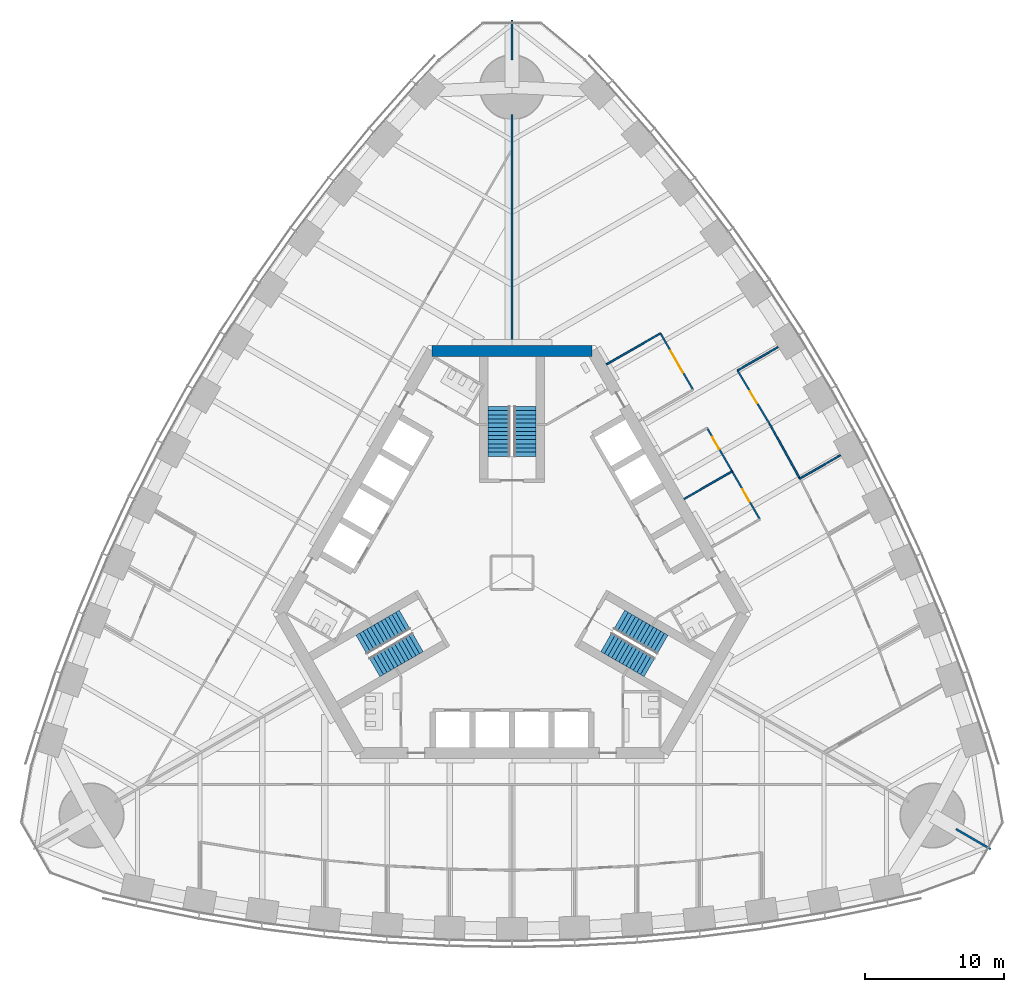
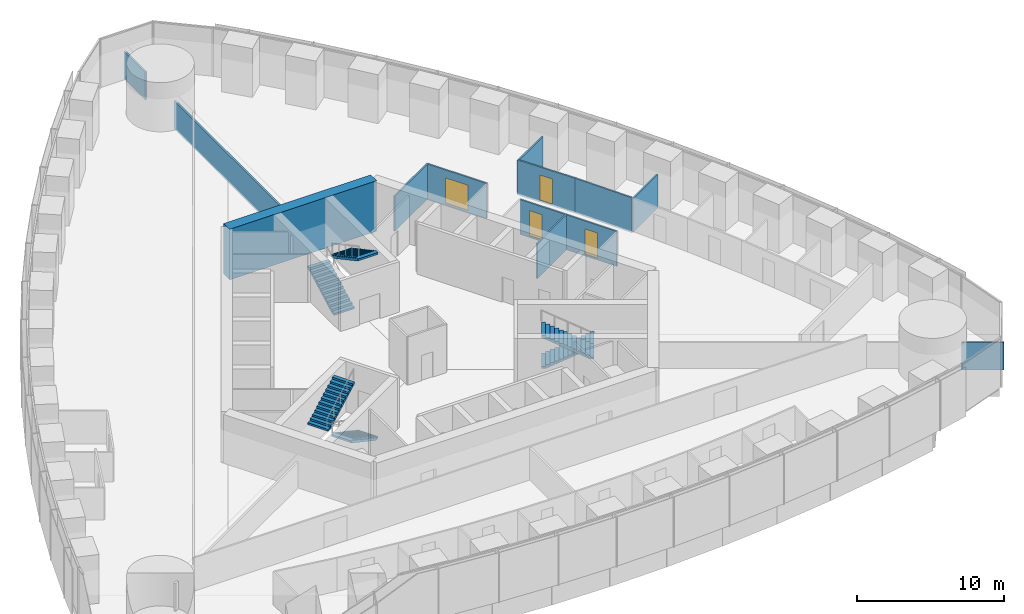
# One storey, part 13 of 18: 13 walls, 6 stair flights, 4 doors, 4 openings, 3 elements without a shape of their own.
"""IFC4 building model written with IfcOpenShell, lengths in metres."""

from ifc_helpers import new_model, si_unit, direction, frame, frame_2d, origin, place, context, subcontext, project, spatial, polyline, rectangle, outline, extrude, material, layer, layer_set, type_object, element, fill, aggregate, save


model = new_model("IFC4")

# Units and contexts
model_context = context("Model", 3, precision=1e-05, world=origin(), true_north=direction((0.0, 1.0)))
body_context = subcontext(model_context, "Body", "Model", "MODEL_VIEW")
ifc_project = project(units=[si_unit("LENGTHUNIT", "METRE"), si_unit("AREAUNIT", "SQUARE_METRE"), si_unit("VOLUMEUNIT", "CUBIC_METRE"), si_unit("PLANEANGLEUNIT", "RADIAN"), si_unit("MASSUNIT", "GRAM", prefix="KILO")], contexts=[model_context])

# Site, building, storey
site_placement = place(None, origin())
site = spatial("IfcSite", under=ifc_project, at=site_placement, CompositionType="ELEMENT")
building_placement = place(site_placement, origin())
building = spatial("IfcBuilding", under=site, at=building_placement, Name="Trefoil Bronze Tower", CompositionType="ELEMENT")
storey_placement = place(building_placement, frame((0.0, 0.0, 111.5)))
storey = spatial("IfcBuildingStorey", under=building, at=storey_placement, Name="L25", CompositionType="ELEMENT", Elevation=111.5)

# Wall
ifc_material_1 = material(Name="Concrete B80", Category="concrete")
ifc_layer_1 = layer(ifc_material_1, 0.800048828125)
ifc_layer_set_1 = layer_set([ifc_layer_1], Name="Core wall 800")
wall_type_1 = type_object("IfcWallType", Name="Core wall 800", PredefinedType="SHEAR", material=ifc_layer_set_1)
wall_1_placement = place(storey_placement, frame((5.7734375, 16.0, 0.0), z_axis=(0.0, 0.0, 1.0), x_axis=(-1.0, 0.0, 0.0)))
element("IfcWall", 1, at=wall_1_placement, inside=storey, type_object=wall_type_1, Name="Core short wall 2 L25", PredefinedType="SHEAR", context=body_context, shape_type="SweptSolid", body=[
    extrude(rectangle(XDim=11.546875, YDim=0.800048828125, at=frame_2d((5.7734375, 0.0))), origin(), (0.0, 0.0, 1.0), 4.199951171875),
])

# Wall, opening, door
ifc_material_2 = material(Name="Glazed partition", Category="glass")
ifc_layer_2 = layer(ifc_material_2, 0.1201171875)
ifc_layer_set_2 = layer_set([ifc_layer_2], Name="Glazed partition 120")
wall_type_2 = type_object("IfcWallType", Name="Glazed partition 120", PredefinedType="PARTITIONING", material=ifc_layer_set_2)
wall_2_placement = place(storey_placement, frame((13.0517578125, 13.193603515625, 0.0), z_axis=(0.0, 0.0, 1.0), x_axis=(-0.499977259774, 0.866038532462, 0.0)))
wall_2 = element("IfcWall", 2, at=wall_2_placement, inside=storey, type_object=wall_type_2, Name="Partition F2 L25", PredefinedType="PARTITIONING", context=body_context, shape_type="SweptSolid", body=[
    extrude(rectangle(XDim=4.699951171875, YDim=0.1201171875, at=frame_2d((2.35009765625, 0.0))), origin(), (0.0, 0.0, 1.0), 2.89990234375),
])
opening_1_placement = place(wall_2_placement, frame((1.449951171875, 0.0, 0.14990234375)))
opening_1 = element("IfcOpeningElement", 3, at=opening_1_placement, cuts=wall_2, Name="Opening D10", PredefinedType="OPENING", context=body_context, shape_type="SweptSolid", body=[
    extrude(rectangle(XDim=1.800048828125, YDim=2.10009765625, at=frame_2d((0.89990234375, 1.050048828125))), frame((0.0, 0.070068359375, 0.0), z_axis=(0.0, -1.0, 0.0), x_axis=(1.0, 0.0, 0.0)), (0.0, 0.0, 1.0), 0.14013671875),
])
ifc_material_3 = material(Name="Timber door", Category="wood")
door_type_1 = type_object("IfcDoorType", Name="Double door 1800", OperationType="DOUBLE_DOOR_SINGLE_SWING", PredefinedType="DOOR", material=ifc_material_3)
door_1_placement = place(opening_1_placement, frame((1.800048828125, 0.0, 0.0), z_axis=(0.0, 0.0, 1.0), x_axis=(-1.0, 0.0, 0.0)))
door_1 = element("IfcDoor", 4, at=door_1_placement, inside=storey, type_object=door_type_1, Name="Reception door F2 L25", OperationType="DOUBLE_DOOR_SINGLE_SWING", OverallHeight=2.10009765625, OverallWidth=1.800048828125, PredefinedType="DOOR", context=body_context, shape_type="SweptSolid", body=[
    extrude(rectangle(XDim=1.800048828125, YDim=2.10009765625, at=frame_2d((0.89990234375, 1.050048828125))), frame((0.0, 0.02490234375, 0.0), z_axis=(0.0, -1.0, 0.0), x_axis=(1.0, 0.0, 0.0)), (0.0, 0.0, 1.0), 0.050048828125),
])
fill(opening_1, door_1)

wall_3_placement = place(storey_placement, frame((15.868896484375, 7.314453125, 0.0), z_axis=(0.0, 0.0, 1.0), x_axis=(-0.500012057535, 0.866018442252, 0.0)))
wall_3 = element("IfcWall", 5, at=wall_3_placement, inside=storey, type_object=wall_type_2, Name="Partition F2 L25", PredefinedType="PARTITIONING", context=body_context, shape_type="SweptSolid", body=[
    extrude(rectangle(XDim=3.60009765625, YDim=0.1201171875, at=frame_2d((1.800048828125, 0.0))), origin(), (0.0, 0.0, 1.0), 2.89990234375),
])
opening_2_placement = place(wall_3_placement, frame((1.85009765625, 0.0, 0.14990234375)))
opening_2 = element("IfcOpeningElement", 6, at=opening_2_placement, cuts=wall_3, Name="Opening D9", PredefinedType="OPENING", context=body_context, shape_type="SweptSolid", body=[
    extrude(rectangle(XDim=1.0, YDim=2.10009765625, at=frame_2d((0.5, 1.050048828125))), frame((0.0, 0.070068359375, 0.0), z_axis=(0.0, -1.0, 0.0), x_axis=(1.0, 0.0, 0.0)), (0.0, 0.0, 1.0), 0.14013671875),
])
ifc_material_4 = material(Name="Glazed timber door", Category="wood")
door_type_2 = type_object("IfcDoorType", Name="Meeting room door 1000", OperationType="SINGLE_SWING_LEFT", PredefinedType="DOOR", material=ifc_material_4)
door_2_placement = place(opening_2_placement, origin())
door_2 = element("IfcDoor", 7, at=door_2_placement, inside=storey, type_object=door_type_2, Name="Meeting room door F2 L25", OperationType="SINGLE_SWING_RIGHT", OverallHeight=2.10009765625, OverallWidth=1.0, PredefinedType="DOOR", context=body_context, shape_type="SweptSolid", body=[
    extrude(rectangle(XDim=1.0, YDim=2.10009765625, at=frame_2d((0.5, 1.050048828125))), frame((0.0, 0.02490234375, 0.0), z_axis=(0.0, -1.0, 0.0), x_axis=(1.0, 0.0, 0.0)), (0.0, 0.0, 1.0), 0.050048828125),
])
fill(opening_2, door_2)

wall_4_placement = place(storey_placement, frame((17.868896484375, 3.850341796875, 0.0), z_axis=(0.0, 0.0, 1.0), x_axis=(-0.49999894854, 0.866026010844, 0.0)))
wall_4 = element("IfcWall", 8, at=wall_4_placement, inside=storey, type_object=wall_type_2, Name="Partition F2 L25", PredefinedType="PARTITIONING", context=body_context, shape_type="SweptSolid", body=[
    extrude(rectangle(XDim=4.0, YDim=0.1201171875, at=frame_2d((2.0, 0.0))), origin(), (0.0, 0.0, 1.0), 2.89990234375),
])
opening_3_placement = place(wall_4_placement, frame((1.5, 0.0, 0.14990234375)))
opening_3 = element("IfcOpeningElement", 9, at=opening_3_placement, cuts=wall_4, Name="Opening D9", PredefinedType="OPENING", context=body_context, shape_type="SweptSolid", body=[
    extrude(rectangle(XDim=1.0, YDim=2.10009765625, at=frame_2d((0.5, 1.050048828125))), frame((0.0, 0.070068359375, 0.0), z_axis=(0.0, -1.0, 0.0), x_axis=(1.0, 0.0, 0.0)), (0.0, 0.0, 1.0), 0.14013671875),
])
door_3_placement = place(opening_3_placement, origin())
door_3 = element("IfcDoor", 10, at=door_3_placement, inside=storey, type_object=door_type_2, Name="Waiting room door F2 L25", OperationType="SINGLE_SWING_RIGHT", OverallHeight=2.10009765625, OverallWidth=1.0, PredefinedType="DOOR", context=body_context, shape_type="SweptSolid", body=[
    extrude(rectangle(XDim=1.0, YDim=2.10009765625, at=frame_2d((0.5, 1.050048828125))), frame((0.0, 0.02490234375, 0.0), z_axis=(0.0, -1.0, 0.0), x_axis=(1.0, 0.0, 0.0)), (0.0, 0.0, 1.0), 0.050048828125),
])
fill(opening_3, door_3)

# Walls
wall_5_placement = place(storey_placement, frame((6.8046875, 15.013916015625, 0.0), z_axis=(0.0, 0.0, 1.0), x_axis=(0.866031096941, 0.499990139034, 0.0)))
element("IfcWall", 11, at=wall_5_placement, inside=storey, type_object=wall_type_2, Name="Partition F2 L25", PredefinedType="PARTITIONING", context=body_context, shape_type="SweptSolid", body=[
    extrude(rectangle(XDim=4.5, YDim=0.1201171875, at=frame_2d((2.25, 0.0))), origin(), (0.0, 0.0, 1.0), 2.89990234375),
])
wall_6_placement = place(storey_placement, frame((12.40478515625, 5.314453125, 0.0), z_axis=(0.0, 0.0, 1.0), x_axis=(0.866026010844, 0.49999894854, 0.0)))
element("IfcWall", 12, at=wall_6_placement, inside=storey, type_object=wall_type_2, Name="Partition F2 L25", PredefinedType="PARTITIONING", context=body_context, shape_type="SweptSolid", body=[
    extrude(rectangle(XDim=4.0, YDim=0.1201171875, at=frame_2d((2.0, 0.0))), origin(), (0.0, 0.0, 1.0), 2.89990234375),
])

# Wall, opening, door
wall_7_placement = place(storey_placement, frame((18.575927734375, 10.724853515625, 0.0), z_axis=(0.0, 0.0, 1.0), x_axis=(-0.515548366618, 0.856860479703, 0.0)))
wall_7 = element("IfcWall", 13, at=wall_7_placement, inside=storey, type_object=wall_type_2, Name="Partition F2 L25", PredefinedType="PARTITIONING", context=body_context, shape_type="SweptSolid", body=[
    extrude(rectangle(XDim=4.500732421875, YDim=0.1201171875, at=frame_2d((2.25048828125, 0.0))), origin(), (0.0, 0.0, 1.0), 2.89990234375),
])
opening_4_placement = place(wall_7_placement, frame((1.75, 0.0, 0.14990234375)))
opening_4 = element("IfcOpeningElement", 14, at=opening_4_placement, cuts=wall_7, Name="Opening D9", PredefinedType="OPENING", context=body_context, shape_type="SweptSolid", body=[
    extrude(rectangle(XDim=1.0, YDim=2.10009765625, at=frame_2d((0.5, 1.050048828125))), frame((0.0, 0.070068359375, 0.0), z_axis=(0.0, -1.0, 0.0), x_axis=(1.0, 0.0, 0.0)), (0.0, 0.0, 1.0), 0.14013671875),
])
door_4_placement = place(opening_4_placement, frame((1.0, 0.0, 0.0), z_axis=(0.0, 0.0, 1.0), x_axis=(-1.0, 0.0, 0.0)))
door_4 = element("IfcDoor", 15, at=door_4_placement, inside=storey, type_object=door_type_2, Name="Client meeting room door F2 L25", OperationType="SINGLE_SWING_RIGHT", OverallHeight=2.10009765625, OverallWidth=1.0, PredefinedType="DOOR", context=body_context, shape_type="SweptSolid", body=[
    extrude(rectangle(XDim=1.0, YDim=2.10009765625, at=frame_2d((0.5, 1.050048828125))), frame((0.0, 0.02490234375, 0.0), z_axis=(0.0, -1.0, 0.0), x_axis=(1.0, 0.0, 0.0)), (0.0, 0.0, 1.0), 0.050048828125),
])
fill(opening_4, door_4)

# Walls
wall_8_placement = place(storey_placement, frame((20.755615234375, 6.787109375, 0.0), z_axis=(0.0, 0.0, 1.0), x_axis=(-0.484292898211, 0.874905931368, 0.0)))
element("IfcWall", 16, at=wall_8_placement, inside=storey, type_object=wall_type_2, Name="Partition F2 L25", PredefinedType="PARTITIONING", context=body_context, shape_type="SweptSolid", body=[
    extrude(rectangle(XDim=4.500732421875, YDim=0.1201171875, at=frame_2d((2.25048828125, 0.0))), origin(), (0.0, 0.0, 1.0), 2.89990234375),
])
for number, where, z_axis, x_axis, name in (
    (17, (16.255615234375, 14.581298828125, 0.0), (0.0, 0.0, 1.0), (0.866022675988, 0.500004724652, 0.0), "Partition F2 L25"),
    (18, (20.755615234375, 6.787109375, 0.0), (0.0, 0.0, 1.0), (0.866022675988, 0.500004724652, 0.0), "Partition F2 L25"),
):
    element("IfcWall", number, at=place(storey_placement, frame(where, z_axis=z_axis, x_axis=x_axis)), inside=storey, type_object=wall_type_2, Name=name, PredefinedType="PARTITIONING", context=body_context, shape_type="SweptSolid", body=[
        extrude(rectangle(XDim=3.369140625, YDim=0.1201171875, at=frame_2d((1.6845703125, 0.0))), origin(), (0.0, 0.0, 1.0), 2.800048828125),
    ])
ifc_material_5 = material(Name="Gypsum board on steel studs", Category="steel")
ifc_layer_3 = layer(ifc_material_5, 0.14990234375)
ifc_layer_set_3 = layer_set([ifc_layer_3], Name="Party wall 150")
wall_type_3 = type_object("IfcWallType", Name="Party wall 150", PredefinedType="PARTITIONING", material=ifc_layer_set_3)
wall_9_placement = place(storey_placement, frame((31.999755859375, -18.47509765625, 0.0), z_axis=(0.0, 0.0, 1.0), x_axis=(0.866042548026, -0.499970304126, 0.0)))
element("IfcWall", 19, at=wall_9_placement, inside=storey, type_object=wall_type_3, Name="Party wall K1 L25", PredefinedType="PARTITIONING", context=body_context, shape_type="SweptSolid", body=[
    extrude(rectangle(XDim=2.899169921875, YDim=0.14990234375, at=frame_2d((1.44970703125, 0.0))), origin(), (0.0, 0.0, 1.0), 2.300048828125),
])
wall_10_placement = place(storey_placement, frame((0.0, 16.39990234375, 0.0), z_axis=(0.0, 0.0, 1.0), x_axis=(0.0, 1.0, 0.0)))
element("IfcWall", 20, at=wall_10_placement, inside=storey, type_object=wall_type_3, Name="Party wall K2 L25", PredefinedType="PARTITIONING", context=body_context, shape_type="SweptSolid", body=[
    extrude(rectangle(XDim=16.650146484375, YDim=0.14990234375, at=frame_2d((8.3251953125, 0.0))), origin(), (0.0, 0.0, 1.0), 2.300048828125),
])
wall_11_placement = place(storey_placement, frame((0.0, 36.949951171875, 0.0), z_axis=(0.0, 0.0, 1.0), x_axis=(0.0, 1.0, 0.0)))
element("IfcWall", 21, at=wall_11_placement, inside=storey, type_object=wall_type_3, Name="Party wall K2 L25", PredefinedType="PARTITIONING", context=body_context, shape_type="SweptSolid", body=[
    extrude(rectangle(XDim=2.8994140625, YDim=0.14990234375, at=frame_2d((1.44970703125, 0.0))), origin(), (0.0, 0.0, 1.0), 2.300048828125),
])

# Stair, stair flights
ifc_material_6 = material(Name="Precast concrete B80", Category="concrete")
stair_type = type_object("IfcStairType", Name="Exit stair 26 risers", PredefinedType="HALF_TURN_STAIR", material=ifc_material_6)
stair_1_placement = place(storey_placement, origin())
stair_1 = element("IfcStair", 22, at=stair_1_placement, inside=storey, type_object=stair_type, Name="Stair ST1 L25", PredefinedType="HALF_TURN_STAIR")
ifc_material_7 = material(Name="Precast concrete B80", Category="concrete")
stair_flight_type = type_object("IfcStairFlightType", Name="Stair flight 1600", PredefinedType="STRAIGHT", material=ifc_material_7)
stair_flight_1_placement = place(storey_placement, frame((7.728515625, -3.39404296875, 0.0), z_axis=(0.0, 0.0, 1.0), x_axis=(0.866025403784, -0.5, 0.0)))
stair_flight_1 = element("IfcStairFlight", 23, at=stair_flight_1_placement, type_object=stair_flight_type, Name="ST1 flight 1", NumberOfRisers=13, NumberOfTreads=12, PredefinedType="STRAIGHT", RiserHeight=0.161538462, TreadLength=0.3, context=body_context, shape_type="SweptSolid", body=[
    extrude(outline(polyline([(0.0, 0.0), (0.0, 0.16162109375), (0.300048828125, 0.16162109375), (0.300048828125, 0.322998046875), (0.60009765625, 0.322998046875), (0.60009765625, 0.484619140625), (0.89990234375, 0.484619140625), (0.89990234375, 0.646240234375), (1.199951171875, 0.646240234375), (1.199951171875, 0.8076171875), (1.5, 0.8076171875), (1.5, 0.96923828125), (1.800048828125, 0.96923828125), (1.800048828125, 1.130859375), (2.10009765625, 1.130859375), (2.10009765625, 1.292236328125), (2.39990234375, 1.292236328125), (2.39990234375, 1.453857421875), (2.699951171875, 1.453857421875), (2.699951171875, 1.615478515625), (3.0, 1.615478515625), (3.0, 1.77685546875), (3.300048828125, 1.77685546875), (3.300048828125, 1.9384765625), (3.60009765625, 1.9384765625), (3.60009765625, 2.10009765625), (3.60009765625, 1.768310546875), (0.316162109375, 0.0), (0.0, 0.0)])), frame((0.0, 0.800048828125, 0.0), z_axis=(0.0, -1.0, 0.0), x_axis=(1.0, 0.0, 0.0)), (0.0, 0.0, 1.0), 1.60009765625),
])
stair_flight_2_placement = place(storey_placement, frame((9.921142578125, -6.796142578125, 2.10009765625), z_axis=(0.0, 0.0, 1.0), x_axis=(-0.866025403784, 0.5, 0.0)))
stair_flight_2 = element("IfcStairFlight", 24, at=stair_flight_2_placement, type_object=stair_flight_type, Name="ST1 flight 2", NumberOfRisers=13, NumberOfTreads=12, PredefinedType="STRAIGHT", RiserHeight=0.161538462, TreadLength=0.3, context=body_context, shape_type="SweptSolid", body=[
    extrude(outline(polyline([(0.0, 0.0), (0.0, 0.16162109375), (0.300048828125, 0.16162109375), (0.300048828125, 0.322998046875), (0.60009765625, 0.322998046875), (0.60009765625, 0.484619140625), (0.89990234375, 0.484619140625), (0.89990234375, 0.646240234375), (1.199951171875, 0.646240234375), (1.199951171875, 0.8076171875), (1.5, 0.8076171875), (1.5, 0.96923828125), (1.800048828125, 0.96923828125), (1.800048828125, 1.130859375), (2.10009765625, 1.130859375), (2.10009765625, 1.292236328125), (2.39990234375, 1.292236328125), (2.39990234375, 1.453857421875), (2.699951171875, 1.453857421875), (2.699951171875, 1.615478515625), (3.0, 1.615478515625), (3.0, 1.77685546875), (3.300048828125, 1.77685546875), (3.300048828125, 1.9384765625), (3.60009765625, 1.9384765625), (3.60009765625, 2.10009765625), (3.60009765625, 1.768310546875), (0.316162109375, 0.0), (0.0, 0.0)])), frame((0.0, 0.800048828125, 0.0), z_axis=(0.0, -1.0, 0.0), x_axis=(1.0, 0.0, 0.0)), (0.0, 0.0, 1.0), 1.60009765625),
])
aggregate(stair_1, [stair_flight_1, stair_flight_2])

stair_2_placement = place(storey_placement, origin())
stair_2 = element("IfcStair", 25, at=stair_2_placement, inside=storey, type_object=stair_type, Name="Stair ST2 L25", PredefinedType="HALF_TURN_STAIR")
stair_flight_3_placement = place(storey_placement, frame((-0.925048828125, 8.389892578125, 0.0), z_axis=(0.0, 0.0, 1.0), x_axis=(0.0, 1.0, 0.0)))
stair_flight_3 = element("IfcStairFlight", 26, at=stair_flight_3_placement, type_object=stair_flight_type, Name="ST2 flight 1", NumberOfRisers=13, NumberOfTreads=12, PredefinedType="STRAIGHT", RiserHeight=0.161538462, TreadLength=0.3, context=body_context, shape_type="SweptSolid", body=[
    extrude(outline(polyline([(0.0, 0.0), (0.0, 0.16162109375), (0.300048828125, 0.16162109375), (0.300048828125, 0.322998046875), (0.60009765625, 0.322998046875), (0.60009765625, 0.484619140625), (0.89990234375, 0.484619140625), (0.89990234375, 0.646240234375), (1.199951171875, 0.646240234375), (1.199951171875, 0.8076171875), (1.5, 0.8076171875), (1.5, 0.96923828125), (1.800048828125, 0.96923828125), (1.800048828125, 1.130859375), (2.10009765625, 1.130859375), (2.10009765625, 1.292236328125), (2.39990234375, 1.292236328125), (2.39990234375, 1.453857421875), (2.699951171875, 1.453857421875), (2.699951171875, 1.615478515625), (3.0, 1.615478515625), (3.0, 1.77685546875), (3.300048828125, 1.77685546875), (3.300048828125, 1.9384765625), (3.60009765625, 1.9384765625), (3.60009765625, 2.10009765625), (3.60009765625, 1.768310546875), (0.316162109375, 0.0), (0.0, 0.0)])), frame((0.0, 0.800048828125, 0.0), z_axis=(0.0, -1.0, 0.0), x_axis=(1.0, 0.0, 0.0)), (0.0, 0.0, 1.0), 1.60009765625),
])
stair_flight_4_placement = place(storey_placement, frame((0.925048828125, 11.989990234375, 2.10009765625), z_axis=(0.0, 0.0, 1.0), x_axis=(0.0, -1.0, 0.0)))
stair_flight_4 = element("IfcStairFlight", 27, at=stair_flight_4_placement, type_object=stair_flight_type, Name="ST2 flight 2", NumberOfRisers=13, NumberOfTreads=12, PredefinedType="STRAIGHT", RiserHeight=0.161538462, TreadLength=0.3, context=body_context, shape_type="SweptSolid", body=[
    extrude(outline(polyline([(0.0, 0.0), (0.0, 0.16162109375), (0.300048828125, 0.16162109375), (0.300048828125, 0.322998046875), (0.60009765625, 0.322998046875), (0.60009765625, 0.484619140625), (0.89990234375, 0.484619140625), (0.89990234375, 0.646240234375), (1.199951171875, 0.646240234375), (1.199951171875, 0.8076171875), (1.5, 0.8076171875), (1.5, 0.96923828125), (1.800048828125, 0.96923828125), (1.800048828125, 1.130859375), (2.10009765625, 1.130859375), (2.10009765625, 1.292236328125), (2.39990234375, 1.292236328125), (2.39990234375, 1.453857421875), (2.699951171875, 1.453857421875), (2.699951171875, 1.615478515625), (3.0, 1.615478515625), (3.0, 1.77685546875), (3.300048828125, 1.77685546875), (3.300048828125, 1.9384765625), (3.60009765625, 1.9384765625), (3.60009765625, 2.10009765625), (3.60009765625, 1.768310546875), (0.316162109375, 0.0), (0.0, 0.0)])), frame((0.0, 0.800048828125, 0.0), z_axis=(0.0, -1.0, 0.0), x_axis=(1.0, 0.0, 0.0)), (0.0, 0.0, 1.0), 1.60009765625),
])
aggregate(stair_2, [stair_flight_3, stair_flight_4])

stair_3_placement = place(storey_placement, origin())
stair_3 = element("IfcStair", 28, at=stair_3_placement, inside=storey, type_object=stair_type, Name="Stair ST3 L25", PredefinedType="HALF_TURN_STAIR")
stair_flight_5_placement = place(storey_placement, frame((-6.803466796875, -4.99609375, 0.0), z_axis=(0.0, 0.0, 1.0), x_axis=(-0.866025403784, -0.5, 0.0)))
stair_flight_5 = element("IfcStairFlight", 29, at=stair_flight_5_placement, type_object=stair_flight_type, Name="ST3 flight 1", NumberOfRisers=13, NumberOfTreads=12, PredefinedType="STRAIGHT", RiserHeight=0.161538462, TreadLength=0.3, context=body_context, shape_type="SweptSolid", body=[
    extrude(outline(polyline([(0.0, 0.0), (0.0, 0.16162109375), (0.300048828125, 0.16162109375), (0.300048828125, 0.322998046875), (0.60009765625, 0.322998046875), (0.60009765625, 0.484619140625), (0.89990234375, 0.484619140625), (0.89990234375, 0.646240234375), (1.199951171875, 0.646240234375), (1.199951171875, 0.8076171875), (1.5, 0.8076171875), (1.5, 0.96923828125), (1.800048828125, 0.96923828125), (1.800048828125, 1.130859375), (2.10009765625, 1.130859375), (2.10009765625, 1.292236328125), (2.39990234375, 1.292236328125), (2.39990234375, 1.453857421875), (2.699951171875, 1.453857421875), (2.699951171875, 1.615478515625), (3.0, 1.615478515625), (3.0, 1.77685546875), (3.300048828125, 1.77685546875), (3.300048828125, 1.9384765625), (3.60009765625, 1.9384765625), (3.60009765625, 2.10009765625), (3.60009765625, 1.768310546875), (0.316162109375, 0.0), (0.0, 0.0)])), frame((0.0, 0.800048828125, 0.0), z_axis=(0.0, -1.0, 0.0), x_axis=(1.0, 0.0, 0.0)), (0.0, 0.0, 1.0), 1.60009765625),
])
stair_flight_6_placement = place(storey_placement, frame((-10.84619140625, -5.19384765625, 2.10009765625), z_axis=(0.0, 0.0, 1.0), x_axis=(0.866025403784, 0.5, 0.0)))
stair_flight_6 = element("IfcStairFlight", 30, at=stair_flight_6_placement, type_object=stair_flight_type, Name="ST3 flight 2", NumberOfRisers=13, NumberOfTreads=12, PredefinedType="STRAIGHT", RiserHeight=0.161538462, TreadLength=0.3, context=body_context, shape_type="SweptSolid", body=[
    extrude(outline(polyline([(0.0, 0.0), (0.0, 0.16162109375), (0.300048828125, 0.16162109375), (0.300048828125, 0.322998046875), (0.60009765625, 0.322998046875), (0.60009765625, 0.484619140625), (0.89990234375, 0.484619140625), (0.89990234375, 0.646240234375), (1.199951171875, 0.646240234375), (1.199951171875, 0.8076171875), (1.5, 0.8076171875), (1.5, 0.96923828125), (1.800048828125, 0.96923828125), (1.800048828125, 1.130859375), (2.10009765625, 1.130859375), (2.10009765625, 1.292236328125), (2.39990234375, 1.292236328125), (2.39990234375, 1.453857421875), (2.699951171875, 1.453857421875), (2.699951171875, 1.615478515625), (3.0, 1.615478515625), (3.0, 1.77685546875), (3.300048828125, 1.77685546875), (3.300048828125, 1.9384765625), (3.60009765625, 1.9384765625), (3.60009765625, 2.10009765625), (3.60009765625, 1.768310546875), (0.316162109375, 0.0), (0.0, 0.0)])), frame((0.0, 0.800048828125, 0.0), z_axis=(0.0, -1.0, 0.0), x_axis=(1.0, 0.0, 0.0)), (0.0, 0.0, 1.0), 1.60009765625),
])
aggregate(stair_3, [stair_flight_5, stair_flight_6])

save(model, "model.ifc")
